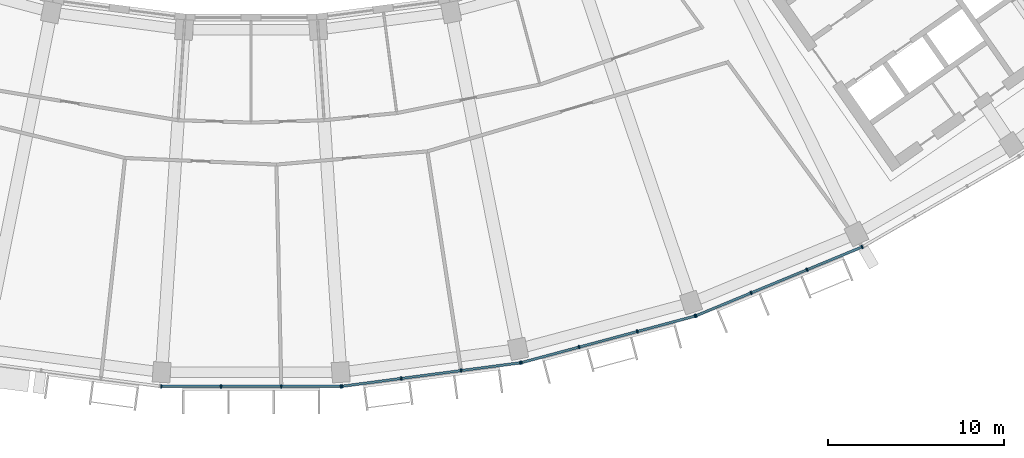
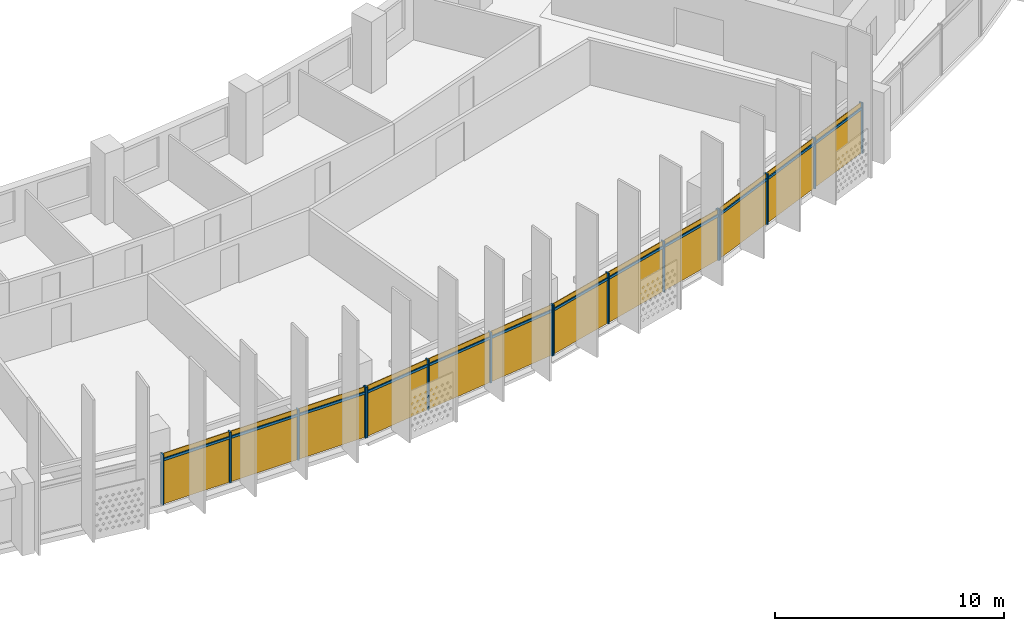
# One storey, part 21 of 28: 28 members, 4 curtain walls.
"""IFC4 building model written with IfcOpenShell, lengths in metres."""

from ifc_helpers import new_model, si_unit, direction, frame, origin, origin_2d, place, context, subcontext, project, spatial, rectangle, extrude, material, material_profile, profile_set, type_object, element, aggregate, save


model = new_model("IFC4")

# Units and contexts
model_context = context("Model", 3, precision=1e-05, world=origin(), true_north=direction((0.0, 1.0)))
body_context = subcontext(model_context, "Body", "Model", "MODEL_VIEW")
ifc_project = project(units=[si_unit("LENGTHUNIT", "METRE"), si_unit("AREAUNIT", "SQUARE_METRE"), si_unit("VOLUMEUNIT", "CUBIC_METRE"), si_unit("PLANEANGLEUNIT", "RADIAN"), si_unit("MASSUNIT", "GRAM", prefix="KILO")], contexts=[model_context])

# Member
ifc_material = material(Name="Aluminium 6063-T6 anodised", Category="aluminium")
ifc_material_profile_1 = material_profile(ifc_material, rectangle(XDim=0.199951171875, YDim=0.070068359375, at=origin_2d()))
ifc_profile_set_1 = profile_set([ifc_material_profile_1], Name="Aluminium 6063-T6 anodised")
member_type_1 = type_object("IfcMemberType", Name="Mullion 70 x 200 aluminium", PredefinedType="MULLION", material=ifc_profile_set_1)
site_placement = place(None, origin())
building_placement = place(site_placement, origin())
storey_placement = place(building_placement, frame((0.0, 0.0, 234.10009765625)))
member_1_placement = place(storey_placement, frame((-5.10888671875, -78.381591796875, 0.0), z_axis=(0.0, 0.0, 1.0), x_axis=(0.0, 1.0, 0.0)))
member_1 = element("IfcMember", 1, at=member_1_placement, type_object=member_type_1, Name="e-cw1-L56-out08/M00", PredefinedType="MULLION", context=body_context, shape_type="SweptSolid", body=[
    extrude(rectangle(XDim=0.199951171875, YDim=0.070068359375, at=origin_2d()), origin(), (0.0, 0.0, 1.0), 2.699951171875),
])

member_2_placement = place(storey_placement, frame((-1.714599609375, -78.381591796875, 0.0), z_axis=(0.0, 0.0, 1.0), x_axis=(0.0, 1.0, 0.0)))
member_2 = element("IfcMember", 2, at=member_2_placement, type_object=member_type_1, Name="e-cw1-L56-out08/M01", PredefinedType="MULLION", context=body_context, shape_type="SweptSolid", body=[
    extrude(rectangle(XDim=0.199951171875, YDim=0.070068359375, at=origin_2d()), origin(), (0.0, 0.0, 1.0), 2.699951171875),
])

member_3_placement = place(storey_placement, frame((1.714599609375, -78.381591796875, 0.0), z_axis=(0.0, 0.0, 1.0), x_axis=(0.0, 1.0, 0.0)))
member_3 = element("IfcMember", 3, at=member_3_placement, type_object=member_type_1, Name="e-cw1-L56-out08/M02", PredefinedType="MULLION", context=body_context, shape_type="SweptSolid", body=[
    extrude(rectangle(XDim=0.199951171875, YDim=0.070068359375, at=origin_2d()), origin(), (0.0, 0.0, 1.0), 2.699951171875),
])

member_4_placement = place(storey_placement, frame((5.10888671875, -78.381591796875, 0.0), z_axis=(0.0, 0.0, 1.0), x_axis=(0.0, 1.0, 0.0)))
member_4 = element("IfcMember", 4, at=member_4_placement, type_object=member_type_1, Name="e-cw1-L56-out08/M03", PredefinedType="MULLION", context=body_context, shape_type="SweptSolid", body=[
    extrude(rectangle(XDim=0.199951171875, YDim=0.070068359375, at=origin_2d()), origin(), (0.0, 0.0, 1.0), 2.699951171875),
])

member_5_placement = place(storey_placement, frame((5.16552734375, -78.3779296875, 0.0), z_axis=(0.0, 0.0, 1.0), x_axis=(-0.13052619222, 0.991444861374, 0.0)))
member_5 = element("IfcMember", 5, at=member_5_placement, type_object=member_type_1, Name="e-cw1-L56-out09/M00", PredefinedType="MULLION", context=body_context, shape_type="SweptSolid", body=[
    extrude(rectangle(XDim=0.199951171875, YDim=0.070068359375, at=origin_2d()), origin(), (0.0, 0.0, 1.0), 2.699951171875),
])

member_6_placement = place(storey_placement, frame((8.53076171875, -77.934814453125, 0.0), z_axis=(0.0, 0.0, 1.0), x_axis=(-0.13052619222, 0.991444861374, 0.0)))
member_6 = element("IfcMember", 6, at=member_6_placement, type_object=member_type_1, Name="e-cw1-L56-out09/M01", PredefinedType="MULLION", context=body_context, shape_type="SweptSolid", body=[
    extrude(rectangle(XDim=0.199951171875, YDim=0.070068359375, at=origin_2d()), origin(), (0.0, 0.0, 1.0), 2.699951171875),
])

member_7_placement = place(storey_placement, frame((11.930908203125, -77.4873046875, 0.0), z_axis=(0.0, 0.0, 1.0), x_axis=(-0.13052619222, 0.991444861374, 0.0)))
member_7 = element("IfcMember", 7, at=member_7_placement, type_object=member_type_1, Name="e-cw1-L56-out09/M02", PredefinedType="MULLION", context=body_context, shape_type="SweptSolid", body=[
    extrude(rectangle(XDim=0.199951171875, YDim=0.070068359375, at=origin_2d()), origin(), (0.0, 0.0, 1.0), 2.699951171875),
])

member_8_placement = place(storey_placement, frame((15.296142578125, -77.044189453125, 0.0), z_axis=(0.0, 0.0, 1.0), x_axis=(-0.13052619222, 0.991444861374, 0.0)))
member_8 = element("IfcMember", 8, at=member_8_placement, type_object=member_type_1, Name="e-cw1-L56-out09/M03", PredefinedType="MULLION", context=body_context, shape_type="SweptSolid", body=[
    extrude(rectangle(XDim=0.199951171875, YDim=0.070068359375, at=origin_2d()), origin(), (0.0, 0.0, 1.0), 2.699951171875),
])

member_9_placement = place(storey_placement, frame((15.351806640625, -77.033203125, 0.0), z_axis=(0.0, 0.0, 1.0), x_axis=(-0.258819045103, 0.965925826289, 0.0)))
member_9 = element("IfcMember", 9, at=member_9_placement, type_object=member_type_1, Name="e-cw1-L56-out10/M00", PredefinedType="MULLION", context=body_context, shape_type="SweptSolid", body=[
    extrude(rectangle(XDim=0.199951171875, YDim=0.070068359375, at=origin_2d()), origin(), (0.0, 0.0, 1.0), 2.699951171875),
])

member_10_placement = place(storey_placement, frame((18.63037109375, -76.154541015625, 0.0), z_axis=(0.0, 0.0, 1.0), x_axis=(-0.258819045103, 0.965925826289, 0.0)))
member_10 = element("IfcMember", 10, at=member_10_placement, type_object=member_type_1, Name="e-cw1-L56-out10/M01", PredefinedType="MULLION", context=body_context, shape_type="SweptSolid", body=[
    extrude(rectangle(XDim=0.199951171875, YDim=0.070068359375, at=origin_2d()), origin(), (0.0, 0.0, 1.0), 2.699951171875),
])

member_11_placement = place(storey_placement, frame((21.94287109375, -75.26708984375, 0.0), z_axis=(0.0, 0.0, 1.0), x_axis=(-0.258819045103, 0.965925826289, 0.0)))
member_11 = element("IfcMember", 11, at=member_11_placement, type_object=member_type_1, Name="e-cw1-L56-out10/M02", PredefinedType="MULLION", context=body_context, shape_type="SweptSolid", body=[
    extrude(rectangle(XDim=0.199951171875, YDim=0.070068359375, at=origin_2d()), origin(), (0.0, 0.0, 1.0), 2.699951171875),
])

member_12_placement = place(storey_placement, frame((25.221435546875, -74.388427734375, 0.0), z_axis=(0.0, 0.0, 1.0), x_axis=(-0.258819045103, 0.965925826289, 0.0)))
member_12 = element("IfcMember", 12, at=member_12_placement, type_object=member_type_1, Name="e-cw1-L56-out10/M03", PredefinedType="MULLION", context=body_context, shape_type="SweptSolid", body=[
    extrude(rectangle(XDim=0.199951171875, YDim=0.070068359375, at=origin_2d()), origin(), (0.0, 0.0, 1.0), 2.699951171875),
])

member_13_placement = place(storey_placement, frame((25.275390625, -74.370361328125, 0.0), z_axis=(0.0, 0.0, 1.0), x_axis=(-0.382683432365, 0.923879532511, 0.0)))
member_13 = element("IfcMember", 13, at=member_13_placement, type_object=member_type_1, Name="e-cw1-L56-out11/M00", PredefinedType="MULLION", context=body_context, shape_type="SweptSolid", body=[
    extrude(rectangle(XDim=0.199951171875, YDim=0.070068359375, at=origin_2d()), origin(), (0.0, 0.0, 1.0), 2.699951171875),
])

member_14_placement = place(storey_placement, frame((28.4111328125, -73.0712890625, 0.0), z_axis=(0.0, 0.0, 1.0), x_axis=(-0.382683432365, 0.923879532511, 0.0)))
member_14 = element("IfcMember", 14, at=member_14_placement, type_object=member_type_1, Name="e-cw1-L56-out11/M01", PredefinedType="MULLION", context=body_context, shape_type="SweptSolid", body=[
    extrude(rectangle(XDim=0.199951171875, YDim=0.070068359375, at=origin_2d()), origin(), (0.0, 0.0, 1.0), 2.699951171875),
])

member_15_placement = place(storey_placement, frame((31.57958984375, -71.759033203125, 0.0), z_axis=(0.0, 0.0, 1.0), x_axis=(-0.382683432365, 0.923879532511, 0.0)))
member_15 = element("IfcMember", 15, at=member_15_placement, type_object=member_type_1, Name="e-cw1-L56-out11/M02", PredefinedType="MULLION", context=body_context, shape_type="SweptSolid", body=[
    extrude(rectangle(XDim=0.199951171875, YDim=0.070068359375, at=origin_2d()), origin(), (0.0, 0.0, 1.0), 2.699951171875),
])

member_16_placement = place(storey_placement, frame((34.71533203125, -70.4599609375, 0.0), z_axis=(0.0, 0.0, 1.0), x_axis=(-0.382683432365, 0.923879532511, 0.0)))
member_16 = element("IfcMember", 16, at=member_16_placement, type_object=member_type_1, Name="e-cw1-L56-out11/M03", PredefinedType="MULLION", context=body_context, shape_type="SweptSolid", body=[
    extrude(rectangle(XDim=0.199951171875, YDim=0.070068359375, at=origin_2d()), origin(), (0.0, 0.0, 1.0), 2.699951171875),
])

ifc_material_profile_2 = material_profile(ifc_material, rectangle(XDim=0.139892578125, YDim=0.1201171875, at=origin_2d()))
ifc_profile_set_2 = profile_set([ifc_material_profile_2], Name="Aluminium 6063-T6 anodised")
member_type_2 = type_object("IfcMemberType", Name="Transom 120 x 140 aluminium", PredefinedType="USERDEFINED", material=ifc_profile_set_2)
member_17_placement = place(storey_placement, frame((-5.073974609375, -78.381591796875, 2.39990234375), z_axis=(1.0, 0.0, 0.0), x_axis=(0.0, 1.0, 0.0)))
member_17 = element("IfcMember", 17, at=member_17_placement, type_object=member_type_2, Name="e-cw1-L56-out08/T00", ObjectType="TRANSOM", PredefinedType="USERDEFINED", context=body_context, shape_type="SweptSolid", body=[
    extrude(rectangle(XDim=0.139892578125, YDim=0.1201171875, at=origin_2d()), origin(), (0.0, 0.0, 1.0), 3.32421875),
])

member_18_placement = place(storey_placement, frame((-1.6796875, -78.381591796875, 2.39990234375), z_axis=(1.0, 0.0, 0.0), x_axis=(0.0, 1.0, 0.0)))
member_18 = element("IfcMember", 18, at=member_18_placement, type_object=member_type_2, Name="e-cw1-L56-out08/T01", ObjectType="TRANSOM", PredefinedType="USERDEFINED", context=body_context, shape_type="SweptSolid", body=[
    extrude(rectangle(XDim=0.139892578125, YDim=0.1201171875, at=origin_2d()), origin(), (0.0, 0.0, 1.0), 3.359375),
])

member_19_placement = place(storey_placement, frame((1.749755859375, -78.381591796875, 2.39990234375), z_axis=(1.0, 0.0, 0.0), x_axis=(0.0, 1.0, 0.0)))
member_19 = element("IfcMember", 19, at=member_19_placement, type_object=member_type_2, Name="e-cw1-L56-out08/T02", ObjectType="TRANSOM", PredefinedType="USERDEFINED", context=body_context, shape_type="SweptSolid", body=[
    extrude(rectangle(XDim=0.139892578125, YDim=0.1201171875, at=origin_2d()), origin(), (0.0, 0.0, 1.0), 3.32421875),
])

member_20_placement = place(storey_placement, frame((5.2001953125, -78.373291015625, 2.39990234375), z_axis=(0.991447795146, 0.130503906072, 0.0), x_axis=(-0.130503906072, 0.991447795146, 0.0)))
member_20 = element("IfcMember", 20, at=member_20_placement, type_object=member_type_2, Name="e-cw1-L56-out09/T00", ObjectType="TRANSOM", PredefinedType="USERDEFINED", context=body_context, shape_type="SweptSolid", body=[
    extrude(rectangle(XDim=0.139892578125, YDim=0.1201171875, at=origin_2d()), origin(), (0.0, 0.0, 1.0), 3.32421875),
])

member_21_placement = place(storey_placement, frame((8.565673828125, -77.93017578125, 2.39990234375), z_axis=(0.991444893088, 0.130525951326, 0.0), x_axis=(-0.130525951326, 0.991444893088, 0.0)))
member_21 = element("IfcMember", 21, at=member_21_placement, type_object=member_type_2, Name="e-cw1-L56-out09/T01", ObjectType="TRANSOM", PredefinedType="USERDEFINED", context=body_context, shape_type="SweptSolid", body=[
    extrude(rectangle(XDim=0.139892578125, YDim=0.1201171875, at=origin_2d()), origin(), (0.0, 0.0, 1.0), 3.359375),
])

member_22_placement = place(storey_placement, frame((11.965576171875, -77.482666015625, 2.39990234375), z_axis=(0.991447795146, 0.130503906072, 0.0), x_axis=(-0.130503906072, 0.991447795146, 0.0)))
member_22 = element("IfcMember", 22, at=member_22_placement, type_object=member_type_2, Name="e-cw1-L56-out09/T02", ObjectType="TRANSOM", PredefinedType="USERDEFINED", context=body_context, shape_type="SweptSolid", body=[
    extrude(rectangle(XDim=0.139892578125, YDim=0.1201171875, at=origin_2d()), origin(), (0.0, 0.0, 1.0), 3.32421875),
])

member_23_placement = place(storey_placement, frame((15.385498046875, -77.024169921875, 2.39990234375), z_axis=(0.965913629723, 0.258864559019, 0.0), x_axis=(-0.258864559019, 0.965913629723, 0.0)))
member_23 = element("IfcMember", 23, at=member_23_placement, type_object=member_type_2, Name="e-cw1-L56-out10/T00", ObjectType="TRANSOM", PredefinedType="USERDEFINED", context=body_context, shape_type="SweptSolid", body=[
    extrude(rectangle(XDim=0.139892578125, YDim=0.1201171875, at=origin_2d()), origin(), (0.0, 0.0, 1.0), 3.324462890625),
])

member_24_placement = place(storey_placement, frame((18.664306640625, -76.1455078125, 2.39990234375), z_axis=(0.965931507774, 0.258797840582, 0.0), x_axis=(-0.258797840582, 0.965931507774, 0.0)))
member_24 = element("IfcMember", 24, at=member_24_placement, type_object=member_type_2, Name="e-cw1-L56-out10/T01", ObjectType="TRANSOM", PredefinedType="USERDEFINED", context=body_context, shape_type="SweptSolid", body=[
    extrude(rectangle(XDim=0.139892578125, YDim=0.1201171875, at=origin_2d()), origin(), (0.0, 0.0, 1.0), 3.359375),
])

member_25_placement = place(storey_placement, frame((21.976806640625, -75.258056640625, 2.39990234375), z_axis=(0.965908708139, 0.25888292246, 0.0), x_axis=(-0.25888292246, 0.965908708139, 0.0)))
member_25 = element("IfcMember", 25, at=member_25_placement, type_object=member_type_2, Name="e-cw1-L56-out10/T02", ObjectType="TRANSOM", PredefinedType="USERDEFINED", context=body_context, shape_type="SweptSolid", body=[
    extrude(rectangle(XDim=0.139892578125, YDim=0.1201171875, at=origin_2d()), origin(), (0.0, 0.0, 1.0), 3.32421875),
])

member_26_placement = place(storey_placement, frame((25.3076171875, -74.35693359375, 2.39990234375), z_axis=(0.923874511193, 0.382695554676, 0.0), x_axis=(-0.382695554676, 0.923874511193, 0.0)))
member_26 = element("IfcMember", 26, at=member_26_placement, type_object=member_type_2, Name="e-cw1-L56-out11/T00", ObjectType="TRANSOM", PredefinedType="USERDEFINED", context=body_context, shape_type="SweptSolid", body=[
    extrude(rectangle(XDim=0.139892578125, YDim=0.1201171875, at=origin_2d()), origin(), (0.0, 0.0, 1.0), 3.324462890625),
])

member_27_placement = place(storey_placement, frame((28.443603515625, -73.057861328125, 2.39990234375), z_axis=(0.923891938088, 0.38265348128, 0.0), x_axis=(-0.38265348128, 0.923891938088, 0.0)))
member_27 = element("IfcMember", 27, at=member_27_placement, type_object=member_type_2, Name="e-cw1-L56-out11/T01", ObjectType="TRANSOM", PredefinedType="USERDEFINED", context=body_context, shape_type="SweptSolid", body=[
    extrude(rectangle(XDim=0.139892578125, YDim=0.1201171875, at=origin_2d()), origin(), (0.0, 0.0, 1.0), 3.359130859375),
])

member_28_placement = place(storey_placement, frame((31.61181640625, -71.74560546875, 2.39990234375), z_axis=(0.923874511193, 0.382695554676, 0.0), x_axis=(-0.382695554676, 0.923874511193, 0.0)))
member_28 = element("IfcMember", 28, at=member_28_placement, type_object=member_type_2, Name="e-cw1-L56-out11/T02", ObjectType="TRANSOM", PredefinedType="USERDEFINED", context=body_context, shape_type="SweptSolid", body=[
    extrude(rectangle(XDim=0.139892578125, YDim=0.1201171875, at=origin_2d()), origin(), (0.0, 0.0, 1.0), 3.324462890625),
])

# Site, building, storey
site = spatial("IfcSite", under=ifc_project, at=site_placement, CompositionType="ELEMENT")
building = spatial("IfcBuilding", under=site, at=building_placement, Name="Qamariyya Broadcast Tower", CompositionType="ELEMENT")
storey = spatial("IfcBuildingStorey", under=building, at=storey_placement, Name="L56", CompositionType="ELEMENT", Elevation=234.10009765625)

# Curtain wall
curtain_wall_type = type_object("IfcCurtainWallType", Name="Unitised curtain wall, anodised aluminium", PredefinedType="NOTDEFINED", material=ifc_material)
curtain_wall_1_placement = place(storey_placement, origin())
curtain_wall_1 = element("IfcCurtainWall", 29, at=curtain_wall_1_placement, inside=storey, type_object=curtain_wall_type, Name="e-cw1-L56-out08", PredefinedType="NOTDEFINED", context=body_context, shape_type="SweptSolid", body=[
    extrude(rectangle(XDim=3.324462890625, YDim=0.031982421875, at=origin_2d()), frame((-3.411865234375, -78.381591796875, 0.0), x_axis=(1.0, 0.0, 0.0)), (0.0, 0.0, 1.0), 2.340087890625),
    extrude(rectangle(XDim=3.324462890625, YDim=0.031982421875, at=origin_2d()), frame((-3.411865234375, -78.381591796875, 2.4599609375), x_axis=(1.0, 0.0, 0.0)), (0.0, 0.0, 1.0), 0.239990234375),
    extrude(rectangle(XDim=3.359375, YDim=0.031982421875, at=origin_2d()), frame((0.0, -78.381591796875, 0.0), x_axis=(1.0, 0.0, 0.0)), (0.0, 0.0, 1.0), 2.340087890625),
    extrude(rectangle(XDim=3.359375, YDim=0.031982421875, at=origin_2d()), frame((0.0, -78.381591796875, 2.4599609375), x_axis=(1.0, 0.0, 0.0)), (0.0, 0.0, 1.0), 0.239990234375),
    extrude(rectangle(XDim=3.324462890625, YDim=0.031982421875, at=origin_2d()), frame((3.411865234375, -78.381591796875, 0.0), x_axis=(1.0, 0.0, 0.0)), (0.0, 0.0, 1.0), 2.340087890625),
    extrude(rectangle(XDim=3.324462890625, YDim=0.031982421875, at=origin_2d()), frame((3.411865234375, -78.381591796875, 2.4599609375), x_axis=(1.0, 0.0, 0.0)), (0.0, 0.0, 1.0), 0.239990234375),
])

aggregate(curtain_wall_1, [member_1, member_2, member_3, member_4, member_17, member_18, member_19])

curtain_wall_2_placement = place(storey_placement, origin())
curtain_wall_2 = element("IfcCurtainWall", 30, at=curtain_wall_2_placement, inside=storey, type_object=curtain_wall_type, Name="e-cw1-L56-out09", PredefinedType="NOTDEFINED", context=body_context, shape_type="SweptSolid", body=[
    extrude(rectangle(XDim=3.32421875, YDim=0.031982421875, at=origin_2d()), frame((6.84814453125, -78.156494140625, 0.0), x_axis=(0.991442741341, 0.130542294457, 0.0)), (0.0, 0.0, 1.0), 2.340087890625),
    extrude(rectangle(XDim=3.32421875, YDim=0.031982421875, at=origin_2d()), frame((6.84814453125, -78.156494140625, 2.4599609375), x_axis=(0.991442741341, 0.130542294457, 0.0)), (0.0, 0.0, 1.0), 0.239990234375),
    extrude(rectangle(XDim=3.359375, YDim=0.031982421875, at=origin_2d()), frame((10.23095703125, -77.7109375, 0.0), x_axis=(0.991442741341, 0.130542294457, 0.0)), (0.0, 0.0, 1.0), 2.340087890625),
    extrude(rectangle(XDim=3.359375, YDim=0.031982421875, at=origin_2d()), frame((10.23095703125, -77.7109375, 2.4599609375), x_axis=(0.991442741341, 0.130542294457, 0.0)), (0.0, 0.0, 1.0), 0.239990234375),
    extrude(rectangle(XDim=3.32421875, YDim=0.031982421875, at=origin_2d()), frame((13.613525390625, -77.265625, 0.0), x_axis=(0.991442741341, 0.130542294457, 0.0)), (0.0, 0.0, 1.0), 2.340087890625),
    extrude(rectangle(XDim=3.32421875, YDim=0.031982421875, at=origin_2d()), frame((13.613525390625, -77.265625, 2.4599609375), x_axis=(0.991442741341, 0.130542294457, 0.0)), (0.0, 0.0, 1.0), 0.239990234375),
])

aggregate(curtain_wall_2, [member_5, member_6, member_7, member_8, member_20, member_21, member_22])

curtain_wall_3_placement = place(storey_placement, origin())
curtain_wall_3 = element("IfcCurtainWall", 31, at=curtain_wall_3_placement, inside=storey, type_object=curtain_wall_type, Name="e-cw1-L56-out10", PredefinedType="NOTDEFINED", context=body_context, shape_type="SweptSolid", body=[
    extrude(rectangle(XDim=3.324462890625, YDim=0.031982421875, at=origin_2d()), frame((16.990966796875, -76.593994140625, 0.0), x_axis=(0.965923476514, 0.258827814424, 0.0)), (0.0, 0.0, 1.0), 2.340087890625),
    extrude(rectangle(XDim=3.324462890625, YDim=0.031982421875, at=origin_2d()), frame((16.990966796875, -76.593994140625, 2.4599609375), x_axis=(0.965923476514, 0.258827814424, 0.0)), (0.0, 0.0, 1.0), 0.239990234375),
    extrude(rectangle(XDim=3.359375, YDim=0.031982421875, at=origin_2d()), frame((20.28662109375, -75.7109375, 0.0), x_axis=(0.965923476514, 0.258827814424, 0.0)), (0.0, 0.0, 1.0), 2.340087890625),
    extrude(rectangle(XDim=3.359375, YDim=0.031982421875, at=origin_2d()), frame((20.28662109375, -75.7109375, 2.4599609375), x_axis=(0.965923476514, 0.258827814424, 0.0)), (0.0, 0.0, 1.0), 0.239990234375),
    extrude(rectangle(XDim=3.324462890625, YDim=0.031982421875, at=origin_2d()), frame((23.582275390625, -74.82763671875, 0.0), x_axis=(0.965923476514, 0.258827814424, 0.0)), (0.0, 0.0, 1.0), 2.340087890625),
    extrude(rectangle(XDim=3.324462890625, YDim=0.031982421875, at=origin_2d()), frame((23.582275390625, -74.82763671875, 2.4599609375), x_axis=(0.965923476514, 0.258827814424, 0.0)), (0.0, 0.0, 1.0), 0.239990234375),
])

aggregate(curtain_wall_3, [member_9, member_10, member_11, member_12, member_23, member_24, member_25])

curtain_wall_4_placement = place(storey_placement, origin())
curtain_wall_4 = element("IfcCurtainWall", 32, at=curtain_wall_4_placement, inside=storey, type_object=curtain_wall_type, Name="e-cw1-L56-out11", PredefinedType="NOTDEFINED", context=body_context, shape_type="SweptSolid", body=[
    extrude(rectangle(XDim=3.32421875, YDim=0.031982421875, at=origin_2d()), frame((26.84326171875, -73.720703125, 0.0), x_axis=(0.923880895135, 0.382680142683, 0.0)), (0.0, 0.0, 1.0), 2.340087890625),
    extrude(rectangle(XDim=3.32421875, YDim=0.031982421875, at=origin_2d()), frame((26.84326171875, -73.720703125, 2.4599609375), x_axis=(0.923880895135, 0.382680142683, 0.0)), (0.0, 0.0, 1.0), 0.239990234375),
    extrude(rectangle(XDim=3.359375, YDim=0.031982421875, at=origin_2d()), frame((29.995361328125, -72.4150390625, 0.0), x_axis=(0.923880895135, 0.382680142683, 0.0)), (0.0, 0.0, 1.0), 2.340087890625),
    extrude(rectangle(XDim=3.359375, YDim=0.031982421875, at=origin_2d()), frame((29.995361328125, -72.4150390625, 2.4599609375), x_axis=(0.923880895135, 0.382680142683, 0.0)), (0.0, 0.0, 1.0), 0.239990234375),
    extrude(rectangle(XDim=3.32421875, YDim=0.031982421875, at=origin_2d()), frame((33.1474609375, -71.109375, 0.0), x_axis=(0.923880895135, 0.382680142683, 0.0)), (0.0, 0.0, 1.0), 2.340087890625),
    extrude(rectangle(XDim=3.32421875, YDim=0.031982421875, at=origin_2d()), frame((33.1474609375, -71.109375, 2.4599609375), x_axis=(0.923880895135, 0.382680142683, 0.0)), (0.0, 0.0, 1.0), 0.239990234375),
])

aggregate(curtain_wall_4, [member_13, member_14, member_15, member_16, member_26, member_27, member_28])

save(model, "model.ifc")
